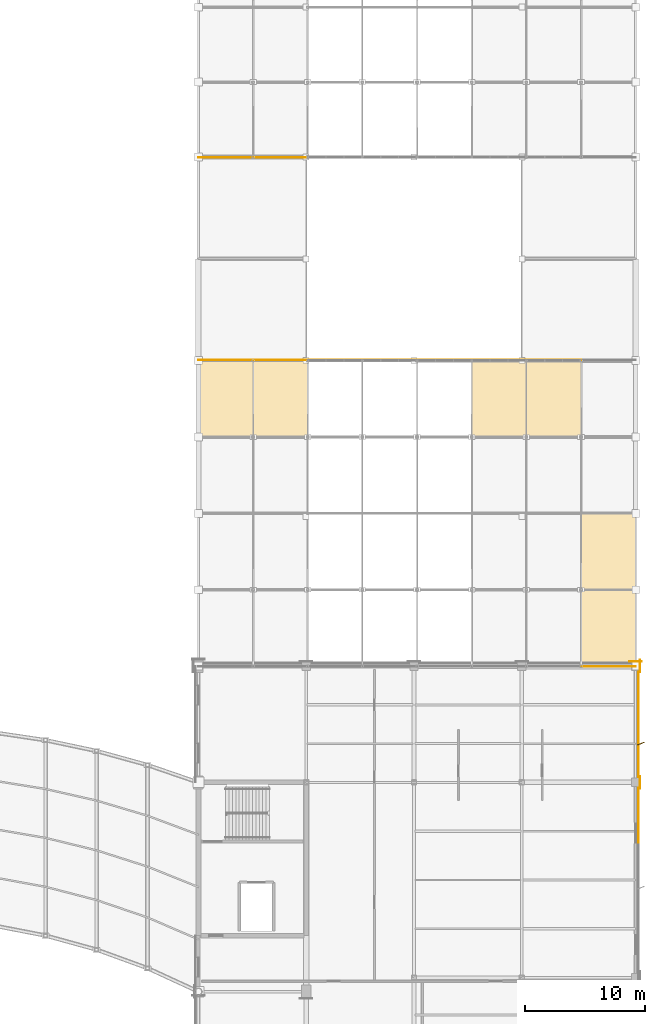
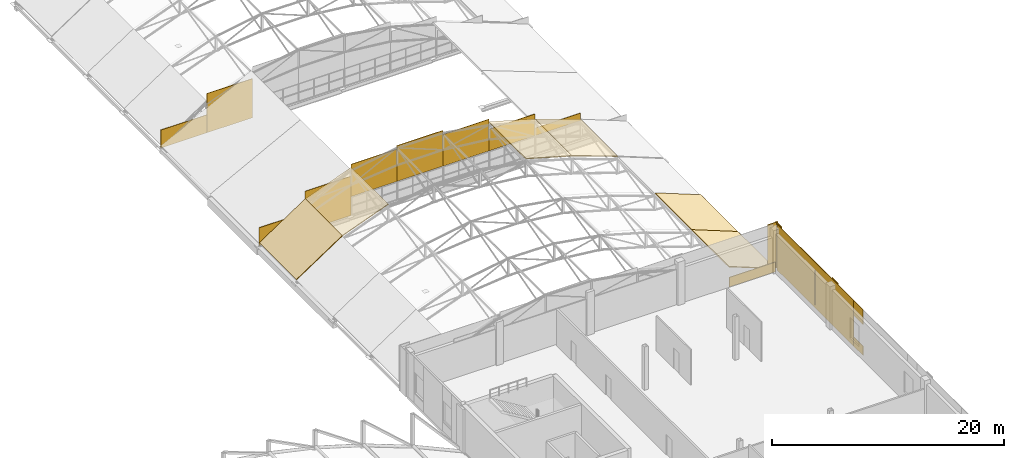
# One storey, part 100 of 101: 23 coverings.
"""IFC4 building model written with IfcOpenShell, lengths in metres."""

from ifc_helpers import new_model, si_unit, direction, frame, origin, origin_2d, place, context, subcontext, project, spatial, polyline, rectangle, outline, extrude, material, layer, layer_set, type_object, element, save


model = new_model("IFC4")

# Units and contexts
model_context = context("Model", 3, precision=1e-05, world=origin(), true_north=direction((0.0, 1.0)))
body_context = subcontext(model_context, "Body", "Model", "MODEL_VIEW")
ifc_project = project(units=[si_unit("LENGTHUNIT", "METRE"), si_unit("AREAUNIT", "SQUARE_METRE"), si_unit("VOLUMEUNIT", "CUBIC_METRE"), si_unit("PLANEANGLEUNIT", "RADIAN"), si_unit("MASSUNIT", "GRAM", prefix="KILO")], contexts=[model_context])

# Site, building, storey
site_placement = place(None, origin())
site = spatial("IfcSite", under=ifc_project, at=site_placement, CompositionType="ELEMENT")
building_placement = place(site_placement, origin())
building = spatial("IfcBuilding", under=site, at=building_placement, Name="Solvikara Media Centre", CompositionType="ELEMENT")
storey_placement = place(building_placement, frame((0.0, 0.0, 10.199951171875)))
storey = spatial("IfcBuildingStorey", under=building, at=storey_placement, Name="L02", CompositionType="ELEMENT", Elevation=10.199951171875)

# Coverings
ifc_material_1 = material(Name="Insulated standing-seam aluminium-zinc acoustic roofing", Category="aluminium")
ifc_layer_1 = layer(ifc_material_1, 0.080078125)
ifc_layer_set_1 = layer_set([ifc_layer_1], Name="Insulated standing-seam aluminium-zinc acoustic roofing")
covering_type_1 = type_object("IfcCoveringType", Name="CV-03", PredefinedType="ROOFING", material=ifc_layer_set_1)
for number, where, z_axis, x_axis, name in (
    (1, (159.43798828125, 46.5, 2.072021484375), (0.365612303173, 0.0, 0.930767233936), (0.930767233936, 0.0, -0.365612303173), "CV-BSA-00-07"),
    (2, (159.43798828125, 52.875, 2.072021484375), (0.365612303173, 0.0, 0.930767233936), (0.930767233936, 0.0, -0.365612303173), "CV-BSA-01-07"),
):
    element("IfcCovering", number, at=place(storey_placement, frame(where, z_axis=z_axis, x_axis=x_axis)), inside=storey, type_object=covering_type_1, Name=name, PredefinedType="ROOFING", context=body_context, shape_type="SweptSolid", body=[
        extrude(outline(polyline([(0.0, 0.0), (4.901345419583624, 0.0), (4.901345419583624, 6.375), (0.0, 6.375), (0.0, 0.0)])), origin(), (0.0, 0.0, -1.0), 0.080078125),
    ])
covering_1_placement = place(storey_placement, frame((127.5, 65.625, 0.280029296875), z_axis=(-0.552774199912, 0.0, 0.833331077011), x_axis=(0.833331077011, 0.0, 0.552774199912)))
element("IfcCovering", 3, at=covering_1_placement, inside=storey, type_object=covering_type_1, Name="CV-BSA-03-00", PredefinedType="ROOFING", context=body_context, shape_type="SweptSolid", body=[
    extrude(outline(polyline([(0.0, 0.0), (5.474428884992513, 0.0), (5.474428884992513, 6.375000000000002), (0.0, 6.375000000000002), (0.0, 0.0)])), origin(), (0.0, 0.0, -1.0), 0.080078125),
])
covering_2_placement = place(storey_placement, frame((132.06201171875, 65.625, 3.30615234375), z_axis=(-0.350914788699, 0.0, 0.936407395887), x_axis=(0.936407395887, 0.0, 0.350914788699)))
element("IfcCovering", 4, at=covering_2_placement, inside=storey, type_object=covering_type_1, Name="CV-BSA-03-01", PredefinedType="ROOFING", context=body_context, shape_type="SweptSolid", body=[
    extrude(outline(polyline([(0.0, 0.0), (4.872866554975697, 0.0), (4.872866554975697, 6.375), (0.0, 6.375), (0.0, 0.0)])), origin(), (0.0, 0.0, -1.0), 0.080078125),
])
covering_3_placement = place(storey_placement, frame((150.31201171875, 65.625, 5.007080078125), z_axis=(0.272626398556, 0.0, 0.962119975268), x_axis=(0.962119975268, 0.0, -0.272626398556)))
element("IfcCovering", 5, at=covering_3_placement, inside=storey, type_object=covering_type_1, Name="CV-BSA-03-05", PredefinedType="ROOFING", context=body_context, shape_type="SweptSolid", body=[
    extrude(outline(polyline([(0.0, 0.0), (4.7426395860640085, 0.0), (4.7426395860640085, 6.375), (0.0, 6.375), (0.0, 0.0)])), origin(), (0.0, 0.0, -1.0), 0.080078125),
])
covering_4_placement = place(storey_placement, frame((154.875, 65.625, 3.714111328125), z_axis=(0.338612503303, 0.0, 0.94092591239), x_axis=(0.94092591239, 0.0, -0.338612503303)))
element("IfcCovering", 6, at=covering_4_placement, inside=storey, type_object=covering_type_1, Name="CV-BSA-03-06", PredefinedType="ROOFING", context=body_context, shape_type="SweptSolid", body=[
    extrude(outline(polyline([(0.0, 0.0), (4.849466064400464, 0.0), (4.849466064400464, 6.375), (0.0, 6.375), (0.0, 0.0)])), origin(), (0.0, 0.0, -1.0), 0.080078125),
])
ifc_material_2 = material(Name="GFRC white mineral architectural rainscreen panel")
ifc_layer_2 = layer(ifc_material_2, 0.050048828125)
ifc_layer_set_2 = layer_set([ifc_layer_2], Name="GFRC white mineral architectural rainscreen panel")
covering_type_2 = type_object("IfcCoveringType", Name="CV-04", PredefinedType="CLADDING", material=ifc_layer_set_2)
for number, where, z_axis, x_axis, name in (
    (7, (164.375, 36.800048828125, 0.0), (0.0, 0.0, 1.0), (0.0, 1.0, 0.0), "PIL-L02-234"),
    (8, (164.375, 46.5, 0.0), (0.0, 0.0, 1.0), (0.0, 1.0, 0.0), "PIL-L02-238"),
    (9, (164.0, 46.875, 0.0), (0.0, 0.0, 1.0), (-1.0, 0.0, 0.0), "PIL-L02-239"),
):
    element("IfcCovering", number, at=place(storey_placement, frame(where, z_axis=z_axis, x_axis=x_axis)), inside=storey, type_object=covering_type_2, Name=name, PredefinedType="CLADDING", context=body_context, shape_type="SweptSolid", body=[
        extrude(rectangle(XDim=1.0400390625, YDim=0.050048828125, at=origin_2d()), origin(), (0.0, 0.0, 1.0), 4.800048828125),
    ])
covering_5_placement = place(storey_placement, frame((161.718994140625, 46.4599609375, -0.04931640625), z_axis=(0.0, 0.0, 1.0), x_axis=(1.0, 0.0, 0.0)))
element("IfcCovering", 10, at=covering_5_placement, inside=storey, type_object=covering_type_2, Name="TYM-BSAS-07", PredefinedType="CLADDING", context=body_context, shape_type="SweptSolid", body=[
    extrude(rectangle(XDim=4.56201171875, YDim=0.050048828125, at=origin_2d()), origin(), (0.0, 0.0, 1.0), 1.012939453125),
])
covering_6_placement = place(storey_placement, frame((129.781005859375, 72.0400390625, -0.0498046875), z_axis=(0.0, 0.0, 1.0), x_axis=(1.0, 0.0, 0.0)))
element("IfcCovering", 11, at=covering_6_placement, inside=storey, type_object=covering_type_2, Name="TYM-BSAN-00", PredefinedType="CLADDING", context=body_context, shape_type="SweptSolid", body=[
    extrude(rectangle(XDim=4.56201171875, YDim=0.050048828125, at=origin_2d()), origin(), (0.0, 0.0, 1.0), 1.889892578125),
])
covering_7_placement = place(storey_placement, frame((134.343994140625, 72.0400390625, -0.0498046875), z_axis=(0.0, 0.0, 1.0), x_axis=(1.0, 0.0, 0.0)))
element("IfcCovering", 12, at=covering_7_placement, inside=storey, type_object=covering_type_2, Name="TYM-BSAN-01", PredefinedType="CLADDING", context=body_context, shape_type="SweptSolid", body=[
    extrude(rectangle(XDim=4.56298828125, YDim=0.050048828125, at=origin_2d()), origin(), (0.0, 0.0, 1.0), 4.112060546875),
])
covering_8_placement = place(storey_placement, frame((138.906005859375, 72.0400390625, 1.920166015625), z_axis=(0.0, 0.0, 1.0), x_axis=(1.0, 0.0, 0.0)))
element("IfcCovering", 13, at=covering_8_placement, inside=storey, type_object=covering_type_2, Name="TYM-BSAN-02", PredefinedType="CLADDING", context=body_context, shape_type="SweptSolid", body=[
    extrude(rectangle(XDim=4.56298828125, YDim=0.050048828125, at=origin_2d()), origin(), (0.0, 0.0, 1.0), 3.3798828125),
])
covering_9_placement = place(storey_placement, frame((143.468994140625, 72.0400390625, 1.919921875), z_axis=(0.0, 0.0, 1.0), x_axis=(1.0, 0.0, 0.0)))
element("IfcCovering", 14, at=covering_9_placement, inside=storey, type_object=covering_type_2, Name="TYM-BSAN-03", PredefinedType="CLADDING", context=body_context, shape_type="SweptSolid", body=[
    extrude(rectangle(XDim=4.56201171875, YDim=0.050048828125, at=origin_2d()), origin(), (0.0, 0.0, 1.0), 3.738037109375),
])
covering_10_placement = place(storey_placement, frame((148.031005859375, 72.0400390625, 1.91943359375), z_axis=(0.0, 0.0, 1.0), x_axis=(1.0, 0.0, 0.0)))
element("IfcCovering", 15, at=covering_10_placement, inside=storey, type_object=covering_type_2, Name="TYM-BSAN-04", PredefinedType="CLADDING", context=body_context, shape_type="SweptSolid", body=[
    extrude(rectangle(XDim=4.56201171875, YDim=0.050048828125, at=origin_2d()), origin(), (0.0, 0.0, 1.0), 3.321044921875),
])
covering_11_placement = place(storey_placement, frame((152.593994140625, 72.0400390625, 1.920166015625), z_axis=(0.0, 0.0, 1.0), x_axis=(1.0, 0.0, 0.0)))
element("IfcCovering", 16, at=covering_11_placement, inside=storey, type_object=covering_type_2, Name="TYM-BSAN-05", PredefinedType="CLADDING", context=body_context, shape_type="SweptSolid", body=[
    extrude(rectangle(XDim=4.56298828125, YDim=0.050048828125, at=origin_2d()), origin(), (0.0, 0.0, 1.0), 2.27587890625),
])
covering_12_placement = place(storey_placement, frame((157.156005859375, 72.0400390625, 1.91943359375), z_axis=(0.0, 0.0, 1.0), x_axis=(1.0, 0.0, 0.0)))
element("IfcCovering", 17, at=covering_12_placement, inside=storey, type_object=covering_type_2, Name="TYM-BSAN-06", PredefinedType="CLADDING", context=body_context, shape_type="SweptSolid", body=[
    extrude(rectangle(XDim=4.56298828125, YDim=0.050048828125, at=origin_2d()), origin(), (0.0, 0.0, 1.0), 0.784912109375),
])
covering_13_placement = place(storey_placement, frame((129.781005859375, 88.9599609375, -0.0498046875), z_axis=(0.0, 0.0, 1.0), x_axis=(1.0, 0.0, 0.0)))
element("IfcCovering", 18, at=covering_13_placement, inside=storey, type_object=covering_type_2, Name="TYM-BSBS-00", PredefinedType="CLADDING", context=body_context, shape_type="SweptSolid", body=[
    extrude(rectangle(XDim=4.56201171875, YDim=0.050048828125, at=origin_2d()), origin(), (0.0, 0.0, 1.0), 1.889892578125),
])
covering_14_placement = place(storey_placement, frame((134.343994140625, 88.9599609375, -0.0498046875), z_axis=(0.0, 0.0, 1.0), x_axis=(1.0, 0.0, 0.0)))
element("IfcCovering", 19, at=covering_14_placement, inside=storey, type_object=covering_type_2, Name="TYM-BSBS-01", PredefinedType="CLADDING", context=body_context, shape_type="SweptSolid", body=[
    extrude(rectangle(XDim=4.56298828125, YDim=0.050048828125, at=origin_2d()), origin(), (0.0, 0.0, 1.0), 4.112060546875),
])
covering_15_placement = place(storey_placement, frame((164.2451171875, 32.550048828125, 0.0), z_axis=(0.0, 0.0, 1.0), x_axis=(0.0, 1.0, 0.0)))
element("IfcCovering", 20, at=covering_15_placement, inside=storey, type_object=covering_type_2, Name="L02-V5E-CV-S08", PredefinedType="CLADDING", context=body_context, shape_type="SweptSolid", body=[
    extrude(rectangle(XDim=1.60009765625, YDim=0.050048828125, at=origin_2d()), origin(), (0.0, 0.0, 1.0), 0.969970703125),
])
covering_16_placement = place(storey_placement, frame((164.2451171875, 32.550048828125, 3.22998046875), z_axis=(0.0, 0.0, 1.0), x_axis=(0.0, 1.0, 0.0)))
element("IfcCovering", 21, at=covering_16_placement, inside=storey, type_object=covering_type_2, Name="L02-V5E-CV-H08", PredefinedType="CLADDING", context=body_context, shape_type="SweptSolid", body=[
    extrude(rectangle(XDim=1.60009765625, YDim=0.050048828125, at=origin_2d()), origin(), (0.0, 0.0, 1.0), 1.570068359375),
])
covering_17_placement = place(storey_placement, frame((164.2451171875, 39.925048828125, 0.0), z_axis=(0.0, 0.0, 1.0), x_axis=(0.0, 1.0, 0.0)))
element("IfcCovering", 22, at=covering_17_placement, inside=storey, type_object=covering_type_2, Name="L02-V5E-CV-F09", PredefinedType="CLADDING", context=body_context, shape_type="SweptSolid", body=[
    extrude(rectangle(XDim=13.14990234375, YDim=0.050048828125, at=origin_2d()), origin(), (0.0, 0.0, 1.0), 4.800048828125),
])
covering_18_placement = place(storey_placement, frame((164.43505859375, 40.034912109375, 0.35009765625), z_axis=(0.0, 0.0, 1.0), x_axis=(0.930749810713, 0.3656566557, 0.0)))
element("IfcCovering", 23, at=covering_18_placement, inside=storey, type_object=covering_type_2, Name="L02-V5E-FIN-09", PredefinedType="CLADDING", context=body_context, shape_type="SweptSolid", body=[
    extrude(rectangle(XDim=0.60205078125, YDim=0.050048828125, at=origin_2d()), origin(), (0.0, 0.0, 1.0), 3.617919921875),
])

save(model, "model.ifc")
